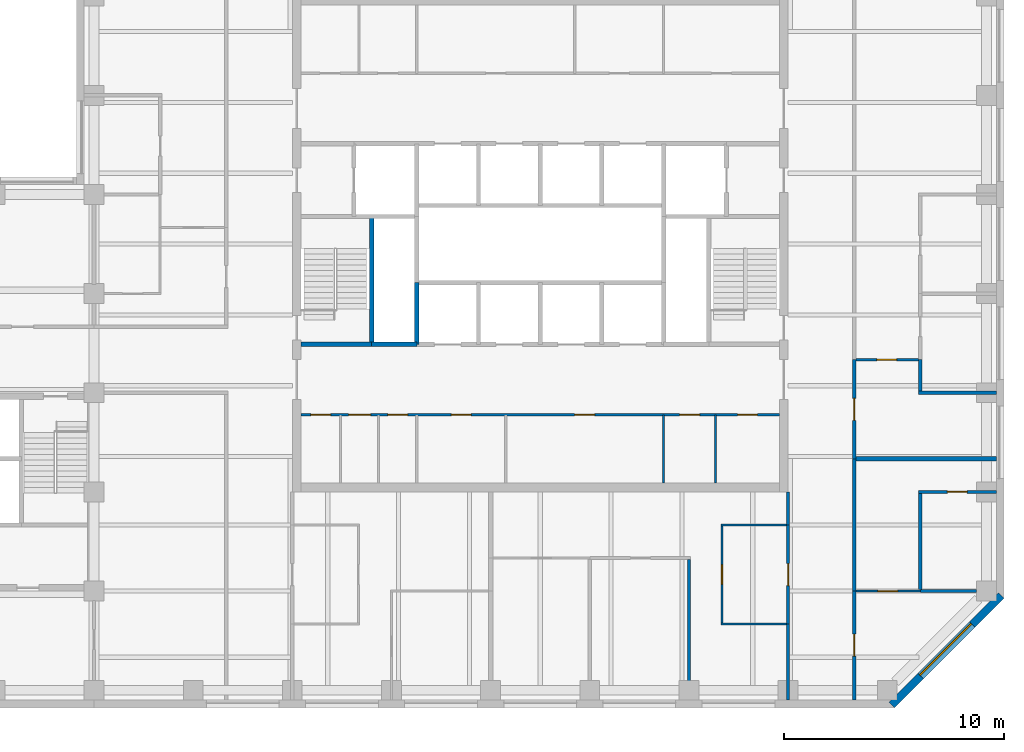
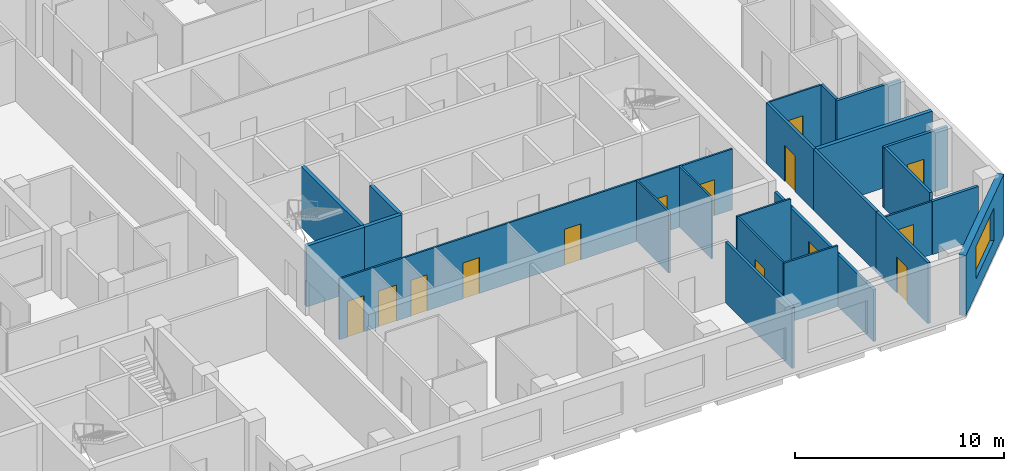
# One storey, part 5 of 10: 26 walls, 14 doors, 1 window, 15 openings.
"""IFC4 building model written with IfcOpenShell, lengths in metres."""

import ifcopenshell
import ifcopenshell.guid

model = None  # the IFC model being written
_history = None  # IfcOwnerHistory: only IFC2X3 demands one
_inside = {}  # id of a spatial element -> (the spatial element, [elements in it])
_under = {}  # id of a project, library or spatial element -> (it, [spatial elements below it])
_declared = {}  # id of a project -> (the project, [libraries it declares])
_typed = {}  # id of a type object -> (the type object, [elements of that type])
_made_of = {}  # id of a material, layer set ... -> (it, [elements and type objects made of it])


def new_model(schema):
    """Start an empty IFC model of exactly this schema.

    Asked for "IFC4X3", IfcOpenShell would pick the latest addendum, in which some entities
    have other attributes; the version numbers below select the first issue.
    IFC2X3 requires an IfcOwnerHistory on every rooted entity: one is made here for all.
    """
    global model, _history
    if schema == "IFC4X3":
        model = ifcopenshell.file(schema_version=(4, 3, 0, 0))
    else:
        model = ifcopenshell.file(schema=schema)
    _inside.clear()
    _under.clear()
    _declared.clear()
    _typed.clear()
    _made_of.clear()
    _history = None
    if model.schema == "IFC2X3":
        org = make("IfcOrganization", Name="unknown")
        user = make(
            "IfcPersonAndOrganization",
            ThePerson=make("IfcPerson", FamilyName="unknown"),
            TheOrganization=org,
        )
        app = make(
            "IfcApplication",
            ApplicationDeveloper=org,
            Version="unknown",
            ApplicationFullName="unknown",
            ApplicationIdentifier="unknown",
        )
        _history = make(
            "IfcOwnerHistory",
            OwningUser=user,
            OwningApplication=app,
            ChangeAction="ADDED",
            CreationDate=0,
        )
    return model


def make(cls, **values):
    """One entity of the class cls with the attributes given. An attribute that is None is left unset."""
    return model.create_entity(
        cls, **{name: value for name, value in values.items() if value is not None}
    )


def rooted(cls, **values):
    """An entity with a GlobalId (a new one), such as an element, a storey or a relation."""
    return make(cls, GlobalId=ifcopenshell.guid.new(), OwnerHistory=_history, **values)


def si_unit(unit_type, name, prefix=None):
    """IfcSIUnit, for example si_unit("LENGTHUNIT", "METRE", prefix="MILLI")."""
    return make("IfcSIUnit", UnitType=unit_type, Prefix=prefix, Name=name)


def assignment(units):
    """IfcUnitAssignment: the units of a project."""
    return None if units is None else make("IfcUnitAssignment", Units=units)


def point(xyz):
    """IfcCartesianPoint."""
    return None if xyz is None else make("IfcCartesianPoint", Coordinates=xyz)


def direction(xyz):
    """IfcDirection."""
    return None if xyz is None else make("IfcDirection", DirectionRatios=xyz)


def frame(location, z_axis=None, x_axis=None):
    """IfcAxis2Placement3D, a coordinate frame: its origin and axes. An axis left out is left unset."""
    return make(
        "IfcAxis2Placement3D",
        Location=point(location),
        Axis=direction(z_axis),
        RefDirection=direction(x_axis),
    )


def frame_2d(location, x_axis=None):
    """IfcAxis2Placement2D, a coordinate frame in the plane: its origin and x axis."""
    return make(
        "IfcAxis2Placement2D", Location=point(location), RefDirection=direction(x_axis)
    )


def origin():
    """The frame at (0, 0, 0) with its axes left unset."""
    return frame((0.0, 0.0, 0.0))


def place(relative_to, where):
    """IfcLocalPlacement: puts the frame where relative to a parent placement (None: the world)."""
    return make(
        "IfcLocalPlacement", PlacementRelTo=relative_to, RelativePlacement=where
    )


def context(
    kind, dimensions, precision=None, world=None, true_north=None, identifier=None
):
    """IfcGeometricRepresentationContext, for example the 3D "Model" context."""
    return make(
        "IfcGeometricRepresentationContext",
        ContextIdentifier=identifier,
        ContextType=kind,
        CoordinateSpaceDimension=dimensions,
        Precision=precision,
        WorldCoordinateSystem=world,
        TrueNorth=true_north,
    )


def subcontext(parent, identifier, kind, view, scale=None):
    """IfcGeometricRepresentationSubContext, for example "Body" below "Model"."""
    return make(
        "IfcGeometricRepresentationSubContext",
        ContextIdentifier=identifier,
        ContextType=kind,
        ParentContext=parent,
        TargetScale=scale,
        TargetView=view,
    )


def project(units=None, contexts=None):
    """IfcProject with its units and contexts."""
    return rooted(
        "IfcProject",
        Name="project",
        RepresentationContexts=contexts,
        UnitsInContext=assignment(units),
    )


def spatial(cls, under=None, at=None, **own):
    """A site, building, storey or space (cls), placed at a placement, below another one or the project."""
    s = rooted(cls, ObjectPlacement=at, **own)
    if under is not None:
        _under.setdefault(under.id(), (under, []))[1].append(s)
    return s


def profile(cls, at=None, kind="AREA", **sizes):
    """A parametric profile (cls). Its sizes go by their IFC names, for example OverallWidth=200.0."""
    return make(cls, ProfileType=kind, Position=at, **sizes)


def rectangle(**sizes):
    """IfcRectangleProfileDef."""
    return profile("IfcRectangleProfileDef", **sizes)


def extrude(swept, where, along, depth):
    """IfcExtrudedAreaSolid: the profile swept, set in the frame where, extruded along a direction by depth."""
    return make(
        "IfcExtrudedAreaSolid",
        SweptArea=swept,
        Position=where,
        ExtrudedDirection=direction(along),
        Depth=depth,
    )


def shape(context_of_items, identifier, shape_type, items):
    """IfcShapeRepresentation: the items that make up one representation, for example the "Body"."""
    return make(
        "IfcShapeRepresentation",
        ContextOfItems=context_of_items,
        RepresentationIdentifier=identifier,
        RepresentationType=shape_type,
        Items=items,
    )


def material(Name=None, Category=None):
    """IfcMaterial."""
    return make("IfcMaterial", Name=Name, Category=Category)


def layer(
    of_material, thickness, ventilated=None, Name=None, Category=None, Priority=None
):
    """IfcMaterialLayer: one layer of a wall or slab, of a material (None: an air gap)."""
    return make(
        "IfcMaterialLayer",
        Material=of_material,
        LayerThickness=thickness,
        IsVentilated=ventilated,
        Name=Name,
        Category=Category,
        Priority=Priority,
    )


def layer_set(layers, Name=None):
    """IfcMaterialLayerSet."""
    return make("IfcMaterialLayerSet", MaterialLayers=layers, LayerSetName=Name)


def constituent(of_material, Name=None, Category=None, fraction=None):
    """IfcMaterialConstituent: one of the materials an element consists of."""
    return make(
        "IfcMaterialConstituent",
        Name=Name,
        Material=of_material,
        Fraction=fraction,
        Category=Category,
    )


def constituent_set(constituents=None, Name=None):
    """IfcMaterialConstituentSet."""
    return make(
        "IfcMaterialConstituentSet", Name=Name, MaterialConstituents=constituents
    )


def made_of(thing, what):
    """Note that an element or type object is made of a material, layer set ...; save() writes the relation."""
    if what is not None:
        _made_of.setdefault(what.id(), (what, []))[1].append(thing)
    return thing


def type_object(cls, material=None, **own):
    """A type object (cls), such as IfcWallType, which elements share."""
    return made_of(rooted(cls, **own), material)


def element(
    cls,
    number,
    at=None,
    inside=None,
    cuts=None,
    type_object=None,
    material=None,
    context=None,
    identifier="Body",
    shape_type=None,
    held_by="IfcProductDefinitionShape",
    body=None,
    shapes=None,
    **own,
):
    """One element of the class cls, such as IfcWall. Its Tag is "e" and its number.

    at: its placement. inside: the storey or other place that contains it. cuts: it is an
    opening in that element (IfcRelVoidsElement). A single representation is given by context,
    identifier, shape_type and body (its items); several are given by shapes. held_by: the class
    of the entity that holds the representations. save() writes the other relations.
    """
    e = rooted(cls, Tag="e%d" % number, ObjectPlacement=at, **own)
    if body is not None:
        shapes = [shape(context, identifier, shape_type, body)]
    if shapes is not None:
        e.Representation = make(held_by, Representations=shapes)
    if inside is not None:
        _inside.setdefault(inside.id(), (inside, []))[1].append(e)
    if cuts is not None:
        rooted(
            "IfcRelVoidsElement", RelatingBuildingElement=cuts, RelatedOpeningElement=e
        )
    if type_object is not None:
        _typed.setdefault(type_object.id(), (type_object, []))[1].append(e)
    return made_of(e, material)


def fill(opening, filler):
    """IfcRelFillsElement: the door or window that sits in an opening."""
    return rooted(
        "IfcRelFillsElement",
        RelatingOpeningElement=opening,
        RelatedBuildingElement=filler,
    )


def aggregate(whole, parts):
    """IfcRelAggregates: a whole, such as a stair, and the parts it consists of."""
    return rooted("IfcRelAggregates", RelatingObject=whole, RelatedObjects=parts)


def save(model, path):
    """Write the relations noted so far, then the file.

    IfcRelAggregates (storeys below a building ...), IfcRelContainedInSpatialStructure (elements
    in a storey), IfcRelDefinesByType, IfcRelAssociatesMaterial and IfcRelDeclares: one each for
    every whole, place, type object, material and project.
    """
    for whole, parts in _under.values():
        aggregate(whole, parts)
    for where, things in _inside.values():
        rooted(
            "IfcRelContainedInSpatialStructure",
            RelatedElements=things,
            RelatingStructure=where,
        )
    for kind, things in _typed.values():
        rooted("IfcRelDefinesByType", RelatedObjects=things, RelatingType=kind)
    for what, things in _made_of.values():
        rooted("IfcRelAssociatesMaterial", RelatedObjects=things, RelatingMaterial=what)
    for by, libraries in _declared.values():
        rooted("IfcRelDeclares", RelatingContext=by, RelatedDefinitions=libraries)
    model.write(path)


model = new_model("IFC4")

# Units and contexts
model_context = context("Model", 3, precision=1e-05, world=origin(), true_north=direction((0.0, 1.0)))
body_context = subcontext(model_context, "Body", "Model", "MODEL_VIEW")
ifc_project = project(units=[si_unit("LENGTHUNIT", "METRE"), si_unit("AREAUNIT", "SQUARE_METRE"), si_unit("VOLUMEUNIT", "CUBIC_METRE"), si_unit("PLANEANGLEUNIT", "RADIAN"), si_unit("MASSUNIT", "GRAM", prefix="KILO")], contexts=[model_context])

# Site, building, storey
site_placement = place(None, origin())
site = spatial("IfcSite", under=ifc_project, at=site_placement, CompositionType="ELEMENT")
building_placement = place(site_placement, origin())
building = spatial("IfcBuilding", under=site, at=building_placement, Name="Quoin Convention Tower", CompositionType="ELEMENT")
storey_placement = place(building_placement, frame((0.0, 0.0, 192.10009765625)))
storey = spatial("IfcBuildingStorey", under=building, at=storey_placement, Name="L50", CompositionType="ELEMENT", Elevation=192.10009765625)

# Wall, opening, door
ifc_material_1 = material(Name="Plasterboard")
ifc_layer_1 = layer(ifc_material_1, 0.012451171875, Name="Finish")
ifc_material_2 = material(Name="Steel stud framing", Category="steel")
ifc_layer_2 = layer(ifc_material_2, 0.125, Name="Structure")
ifc_layer_3 = layer(ifc_material_1, 0.012451171875, Name="Finish")
ifc_layer_set_1 = layer_set([ifc_layer_1, ifc_layer_2, ifc_layer_3], Name="Steel stud framing")
wall_type_1 = type_object("IfcWallType", Name="Acoustic partition 150", PredefinedType="PARTITIONING", material=ifc_layer_set_1)
wall_1_placement = place(storey_placement, frame((73.425048828125, 49.5, 0.0), z_axis=(0.0, 0.0, 1.0), x_axis=(1.0, 0.0, 0.0)))
wall_1 = element("IfcWall", 1, at=wall_1_placement, inside=storey, type_object=wall_type_1, Name="pw-L50-014", PredefinedType="PARTITIONING", context=body_context, shape_type="SweptSolid", body=[
    extrude(rectangle(XDim=3.52490234375, YDim=0.14990234375, at=frame_2d((1.762451171875, 0.0))), origin(), (0.0, 0.0, 1.0), 3.5498046875),
])
opening_1_placement = place(wall_1_placement, frame((1.300048828125, 0.0, 0.0)))
opening_1 = element("IfcOpeningElement", 2, at=opening_1_placement, cuts=wall_1, Name="Opening DOH7-04", PredefinedType="OPENING", context=body_context, shape_type="SweptSolid", body=[
    extrude(rectangle(XDim=0.89990234375, YDim=2.10009765625, at=frame_2d((0.449951171875, 1.050048828125))), frame((0.0, 0.0849609375, 0.0), z_axis=(0.0, -1.0, 0.0), x_axis=(1.0, 0.0, 0.0)), (0.0, 0.0, 1.0), 0.169921875),
])
ifc_material_3 = material(Name="Steel door leaf", Category="steel")
door_type_1 = type_object("IfcDoorType", Name="Office door 900 x 2100", OperationType="SINGLE_SWING_RIGHT", PredefinedType="DOOR", material=ifc_material_3)
door_1_placement = place(opening_1_placement, origin())
door_1 = element("IfcDoor", 3, at=door_1_placement, inside=storey, type_object=door_type_1, Name="dr-L50-28", OperationType="SINGLE_SWING_RIGHT", OverallHeight=2.10009765625, OverallWidth=0.89990234375, PredefinedType="DOOR", context=body_context, shape_type="SweptSolid", body=[
    extrude(rectangle(XDim=0.89990234375, YDim=2.10009765625, at=frame_2d((0.449951171875, 1.050048828125))), frame((0.0, 0.02490234375, 0.0), z_axis=(0.0, -1.0, 0.0), x_axis=(1.0, 0.0, 0.0)), (0.0, 0.0, 1.0), 0.050048828125),
])
fill(opening_1, door_1)

# Walls
wall_2_placement = place(storey_placement, frame((73.425048828125, 54.0, 0.0), z_axis=(0.0, 0.0, 1.0), x_axis=(1.0, 0.0, 0.0)))
element("IfcWall", 4, at=wall_2_placement, inside=storey, type_object=wall_type_1, Name="pw-L50-018", PredefinedType="PARTITIONING", context=body_context, shape_type="SweptSolid", body=[
    extrude(rectangle(XDim=3.52490234375, YDim=0.14990234375, at=frame_2d((1.762451171875, 0.0))), origin(), (0.0, 0.0, 1.0), 3.5498046875),
])
wall_3_placement = place(storey_placement, frame((63.0, 40.050048828125, 0.0), z_axis=(0.0, 0.0, 1.0), x_axis=(0.0, 1.0, 0.0)))
element("IfcWall", 5, at=wall_3_placement, inside=storey, type_object=wall_type_1, Name="pw-L50-044", PredefinedType="PARTITIONING", context=body_context, shape_type="SweptSolid", body=[
    extrude(rectangle(XDim=6.375, YDim=0.14990234375, at=frame_2d((3.1875, 0.0))), origin(), (0.0, 0.0, 1.0), 3.5498046875),
])
wall_4_placement = place(storey_placement, frame((73.5, 45.074951171875, 0.0), z_axis=(0.0, 0.0, 1.0), x_axis=(0.0, 1.0, 0.0)))
element("IfcWall", 6, at=wall_4_placement, inside=storey, type_object=wall_type_1, Name="pw-L50-056", PredefinedType="PARTITIONING", context=body_context, shape_type="SweptSolid", body=[
    extrude(rectangle(XDim=4.35009765625, YDim=0.14990234375, at=frame_2d((2.175048828125, 0.0))), origin(), (0.0, 0.0, 1.0), 3.5498046875),
])
wall_5_placement = place(storey_placement, frame((73.5, 54.074951171875, 0.0), z_axis=(0.0, 0.0, 1.0), x_axis=(0.0, 1.0, 0.0)))
element("IfcWall", 7, at=wall_5_placement, inside=storey, type_object=wall_type_1, Name="pw-L50-064", PredefinedType="PARTITIONING", context=body_context, shape_type="SweptSolid", body=[
    extrude(rectangle(XDim=1.425048828125, YDim=0.14990234375, at=frame_2d((0.71240234375, 0.0))), origin(), (0.0, 0.0, 1.0), 3.5498046875),
])
ifc_layer_4 = layer(ifc_material_1, 0.012451171875, Name="Finish")
ifc_layer_5 = layer(ifc_material_2, 0.125, Name="Structure")
ifc_layer_6 = layer(ifc_material_1, 0.012451171875, Name="Finish")
ifc_layer_set_2 = layer_set([ifc_layer_4, ifc_layer_5, ifc_layer_6], Name="Steel stud framing")
wall_type_2 = type_object("IfcWallType", Name="Acoustic partition 150 under beam 454", PredefinedType="PARTITIONING", material=ifc_layer_set_2)
wall_6_placement = place(storey_placement, frame((73.5, 45.0, 0.0), z_axis=(0.0, 0.0, 1.0), x_axis=(1.0, 0.0, 0.0)))
element("IfcWall", 8, at=wall_6_placement, inside=storey, type_object=wall_type_2, Name="pw-L50-007", PredefinedType="PARTITIONING", context=body_context, shape_type="SweptSolid", body=[
    extrude(rectangle(XDim=2.550048828125, YDim=0.14990234375, at=frame_2d((1.27490234375, 0.0))), origin(), (0.0, 0.0, 1.0), 3.095947265625),
])

# Wall, opening, window
ifc_material_4 = material(Name="Brick masonry", Category="masonry")
ifc_layer_7 = layer(ifc_material_4, 0.35009765625)
ifc_layer_set_3 = layer_set([ifc_layer_7], Name="Brick masonry")
wall_type_3 = type_object("IfcWallType", Name="Brick facade wall", PredefinedType="STANDARD", material=ifc_layer_set_3)
wall_7_placement = place(storey_placement, frame((72.20751953125, 39.82373046875, 0.0), z_axis=(0.0, 0.0, 1.0), x_axis=(0.707106781187, 0.707106781187, 0.0)))
wall_7 = element("IfcWall", 9, at=wall_7_placement, inside=storey, type_object=wall_type_3, Name="fw-L50-72000_40500", PredefinedType="STANDARD", context=body_context, shape_type="SweptSolid", body=[
    extrude(rectangle(XDim=7.02685546875, YDim=0.35009765625, at=frame_2d((3.513427734375, 0.0))), origin(), (0.0, 0.0, 1.0), 3.52490234375),
])
opening_2_placement = place(wall_7_placement, frame((1.86328125, 0.0, 0.89990234375)))
opening_2 = element("IfcOpeningElement", 10, at=opening_2_placement, cuts=wall_7, Name="Opening W-02", PredefinedType="OPENING", context=body_context, shape_type="SweptSolid", body=[
    extrude(rectangle(XDim=3.300048828125, YDim=1.89990234375, at=frame_2d((1.64990234375, 0.949951171875))), frame((0.0, 0.18505859375, 0.0), z_axis=(0.0, -1.0, 0.0), x_axis=(1.0, 0.0, 0.0)), (0.0, 0.0, 1.0), 0.3701171875),
])
ifc_material_5 = material(Name="Aluminium", Category="aluminium")
ifc_constituent_1 = constituent(ifc_material_5, Name="Frame")
ifc_material_6 = material(Name="Insulated glass", Category="glass")
ifc_constituent_2 = constituent(ifc_material_6, Name="Glazing")
ifc_constituent_set = constituent_set(constituents=[ifc_constituent_1, ifc_constituent_2], Name="Aluminium")
window_type = type_object("IfcWindowType", Name="Office window", PartitioningType="DOUBLE_PANEL_VERTICAL", PredefinedType="WINDOW", material=ifc_constituent_set)
window_placement = place(opening_2_placement, origin())
window = element("IfcWindow", 11, at=window_placement, inside=storey, type_object=window_type, Name="win-L50-74692_42308", OverallHeight=1.89990234375, OverallWidth=3.300048828125, PartitioningType="SINGLE_PANEL", PredefinedType="WINDOW", context=body_context, shape_type="SweptSolid", body=[
    extrude(rectangle(XDim=3.300048828125, YDim=1.89990234375, at=frame_2d((1.64990234375, 0.949951171875))), frame((0.0, 0.0849609375, 0.0), z_axis=(0.0, -1.0, 0.0), x_axis=(1.0, 0.0, 0.0)), (0.0, 0.0, 1.0), 0.06005859375),
])
fill(opening_2, window)

# Wall, openings, doors
ifc_layer_8 = layer(ifc_material_1, 0.012451171875, Name="Finish")
ifc_layer_9 = layer(ifc_material_2, 0.074951171875, Name="Structure")
ifc_layer_10 = layer(ifc_material_1, 0.012451171875, Name="Finish")
ifc_layer_set_4 = layer_set([ifc_layer_8, ifc_layer_9, ifc_layer_10], Name="Steel stud framing")
wall_type_4 = type_object("IfcWallType", Name="Core partition wall", PredefinedType="PARTITIONING", material=ifc_layer_set_4)
wall_8_placement = place(storey_placement, frame((45.39990234375, 53.0, 0.0), z_axis=(0.0, 0.0, 1.0), x_axis=(1.0, 0.0, 0.0)))
wall_8 = element("IfcWall", 12, at=wall_8_placement, inside=storey, type_object=wall_type_4, Name="cr-C1-L50-h3500_400", PredefinedType="PARTITIONING", context=body_context, shape_type="SweptSolid", body=[
    extrude(rectangle(XDim=21.7001953125, YDim=0.10009765625, at=frame_2d((10.85009765625, 0.0))), origin(), (0.0, 0.0, 1.0), 3.5498046875),
])
opening_3_placement = place(wall_8_placement, frame((19.806396484375, 0.0, 0.0)))
opening_3 = element("IfcOpeningElement", 13, at=opening_3_placement, cuts=wall_8, Name="Opening DCV5-40", PredefinedType="OPENING", context=body_context, shape_type="SweptSolid", body=[
    extrude(rectangle(XDim=0.89990234375, YDim=2.10009765625, at=frame_2d((0.449951171875, 1.050048828125))), frame((0.0, 0.06005859375, 0.0), z_axis=(0.0, -1.0, 0.0), x_axis=(1.0, 0.0, 0.0)), (0.0, 0.0, 1.0), 0.1201171875),
])
opening_4_placement = place(wall_8_placement, frame((17.181396484375, 0.0, 0.0)))
opening_4 = element("IfcOpeningElement", 14, at=opening_4_placement, cuts=wall_8, Name="Opening DCV5-39", PredefinedType="OPENING", context=body_context, shape_type="SweptSolid", body=[
    extrude(rectangle(XDim=0.89990234375, YDim=2.10009765625, at=frame_2d((0.449951171875, 1.050048828125))), frame((0.0, 0.06005859375, 0.0), z_axis=(0.0, -1.0, 0.0), x_axis=(1.0, 0.0, 0.0)), (0.0, 0.0, 1.0), 0.1201171875),
])
opening_5_placement = place(wall_8_placement, frame((0.4423828125, 0.0, 0.0)))
opening_5 = element("IfcOpeningElement", 15, at=opening_5_placement, cuts=wall_8, Name="Opening DCV5-31", PredefinedType="OPENING", context=body_context, shape_type="SweptSolid", body=[
    extrude(rectangle(XDim=0.89990234375, YDim=2.10009765625, at=frame_2d((0.449951171875, 1.050048828125))), frame((0.0, 0.06005859375, 0.0), z_axis=(0.0, -1.0, 0.0), x_axis=(1.0, 0.0, 0.0)), (0.0, 0.0, 1.0), 0.1201171875),
])
opening_6_placement = place(wall_8_placement, frame((2.1513671875, 0.0, 0.0)))
opening_6 = element("IfcOpeningElement", 16, at=opening_6_placement, cuts=wall_8, Name="Opening DCV5-32", PredefinedType="OPENING", context=body_context, shape_type="SweptSolid", body=[
    extrude(rectangle(XDim=1.0, YDim=2.10009765625, at=frame_2d((0.5, 1.050048828125))), frame((0.0, 0.06005859375, 0.0), z_axis=(0.0, -1.0, 0.0), x_axis=(1.0, 0.0, 0.0)), (0.0, 0.0, 1.0), 0.1201171875),
])
opening_7_placement = place(wall_8_placement, frame((3.93359375, 0.0, 0.0)))
opening_7 = element("IfcOpeningElement", 17, at=opening_7_placement, cuts=wall_8, Name="Opening DCV5-33", PredefinedType="OPENING", context=body_context, shape_type="SweptSolid", body=[
    extrude(rectangle(XDim=0.89990234375, YDim=2.10009765625, at=frame_2d((0.449951171875, 1.050048828125))), frame((0.0, 0.06005859375, 0.0), z_axis=(0.0, -1.0, 0.0), x_axis=(1.0, 0.0, 0.0)), (0.0, 0.0, 1.0), 0.1201171875),
])
opening_8_placement = place(wall_8_placement, frame((6.81591796875, 0.0, 0.0)))
opening_8 = element("IfcOpeningElement", 18, at=opening_8_placement, cuts=wall_8, Name="Opening DCV5-35", PredefinedType="OPENING", context=body_context, shape_type="SweptSolid", body=[
    extrude(rectangle(XDim=0.89990234375, YDim=2.10009765625, at=frame_2d((0.449951171875, 1.050048828125))), frame((0.0, 0.06005859375, 0.0), z_axis=(0.0, -1.0, 0.0), x_axis=(1.0, 0.0, 0.0)), (0.0, 0.0, 1.0), 0.1201171875),
])
opening_9_placement = place(wall_8_placement, frame((12.416015625, 0.0, 0.0)))
opening_9 = element("IfcOpeningElement", 19, at=opening_9_placement, cuts=wall_8, Name="Opening DCV5-37", PredefinedType="OPENING", context=body_context, shape_type="SweptSolid", body=[
    extrude(rectangle(XDim=0.89990234375, YDim=2.10009765625, at=frame_2d((0.449951171875, 1.050048828125))), frame((0.0, 0.06005859375, 0.0), z_axis=(0.0, -1.0, 0.0), x_axis=(1.0, 0.0, 0.0)), (0.0, 0.0, 1.0), 0.1201171875),
])
door_type_2 = type_object("IfcDoorType", Name="Core room door 1000 x 2100", OperationType="SINGLE_SWING_LEFT", PredefinedType="DOOR", material=ifc_material_3)
door_2_placement = place(opening_6_placement, frame((1.0, 0.0, 0.0), z_axis=(0.0, 0.0, 1.0), x_axis=(-1.0, 0.0, 0.0)))
door_2 = element("IfcDoor", 20, at=door_2_placement, inside=storey, type_object=door_type_2, Name="cd-C1-L50-CSW1-lobA-CD5013", OperationType="SINGLE_SWING_LEFT", OverallHeight=2.10009765625, OverallWidth=1.0, PredefinedType="DOOR", context=body_context, shape_type="SweptSolid", body=[
    extrude(rectangle(XDim=1.0, YDim=2.10009765625, at=frame_2d((0.5, 1.050048828125))), frame((0.0, 0.02490234375, 0.0), z_axis=(0.0, -1.0, 0.0), x_axis=(1.0, 0.0, 0.0)), (0.0, 0.0, 1.0), 0.050048828125),
])
fill(opening_6, door_2)
door_type_3 = type_object("IfcDoorType", Name="Core room door 900 x 2100", OperationType="SINGLE_SWING_LEFT", PredefinedType="DOOR", material=ifc_material_3)
door_3_placement = place(opening_3_placement, frame((0.89990234375, 0.0, 0.0), z_axis=(0.0, 0.0, 1.0), x_axis=(-1.0, 0.0, 0.0)))
door_3 = element("IfcDoor", 21, at=door_3_placement, inside=storey, type_object=door_type_3, Name="cd-C1-L50-CSE0-lobA-CD5010", OperationType="SINGLE_SWING_LEFT", OverallHeight=2.10009765625, OverallWidth=0.89990234375, PredefinedType="DOOR", context=body_context, shape_type="SweptSolid", body=[
    extrude(rectangle(XDim=0.89990234375, YDim=2.10009765625, at=frame_2d((0.449951171875, 1.050048828125))), frame((0.0, 0.02490234375, 0.0), z_axis=(0.0, -1.0, 0.0), x_axis=(1.0, 0.0, 0.0)), (0.0, 0.0, 1.0), 0.050048828125),
])
fill(opening_3, door_3)
door_4_placement = place(opening_4_placement, frame((0.89990234375, 0.0, 0.0), z_axis=(0.0, 0.0, 1.0), x_axis=(-1.0, 0.0, 0.0)))
door_4 = element("IfcDoor", 22, at=door_4_placement, inside=storey, type_object=door_type_3, Name="cd-C1-L50-CSE1-lobA-CD5011", OperationType="SINGLE_SWING_LEFT", OverallHeight=2.10009765625, OverallWidth=0.89990234375, PredefinedType="DOOR", context=body_context, shape_type="SweptSolid", body=[
    extrude(rectangle(XDim=0.89990234375, YDim=2.10009765625, at=frame_2d((0.449951171875, 1.050048828125))), frame((0.0, 0.02490234375, 0.0), z_axis=(0.0, -1.0, 0.0), x_axis=(1.0, 0.0, 0.0)), (0.0, 0.0, 1.0), 0.050048828125),
])
fill(opening_4, door_4)
door_5_placement = place(opening_5_placement, frame((0.89990234375, 0.0, 0.0), z_axis=(0.0, 0.0, 1.0), x_axis=(-1.0, 0.0, 0.0)))
door_5 = element("IfcDoor", 23, at=door_5_placement, inside=storey, type_object=door_type_3, Name="cd-C1-L50-CSW0-lobA-CD5012", OperationType="SINGLE_SWING_LEFT", OverallHeight=2.10009765625, OverallWidth=0.89990234375, PredefinedType="DOOR", context=body_context, shape_type="SweptSolid", body=[
    extrude(rectangle(XDim=0.89990234375, YDim=2.10009765625, at=frame_2d((0.449951171875, 1.050048828125))), frame((0.0, 0.02490234375, 0.0), z_axis=(0.0, -1.0, 0.0), x_axis=(1.0, 0.0, 0.0)), (0.0, 0.0, 1.0), 0.050048828125),
])
fill(opening_5, door_5)
door_6_placement = place(opening_7_placement, frame((0.89990234375, 0.0, 0.0), z_axis=(0.0, 0.0, 1.0), x_axis=(-1.0, 0.0, 0.0)))
door_6 = element("IfcDoor", 24, at=door_6_placement, inside=storey, type_object=door_type_3, Name="cd-C1-L50-CSW2-lobA-CD5014", OperationType="SINGLE_SWING_LEFT", OverallHeight=2.10009765625, OverallWidth=0.89990234375, PredefinedType="DOOR", context=body_context, shape_type="SweptSolid", body=[
    extrude(rectangle(XDim=0.89990234375, YDim=2.10009765625, at=frame_2d((0.449951171875, 1.050048828125))), frame((0.0, 0.02490234375, 0.0), z_axis=(0.0, -1.0, 0.0), x_axis=(1.0, 0.0, 0.0)), (0.0, 0.0, 1.0), 0.050048828125),
])
fill(opening_7, door_6)
door_7_placement = place(opening_8_placement, frame((0.89990234375, 0.0, 0.0), z_axis=(0.0, 0.0, 1.0), x_axis=(-1.0, 0.0, 0.0)))
door_7 = element("IfcDoor", 25, at=door_7_placement, inside=storey, type_object=door_type_3, Name="cd-C1-L50-F10-lobA-CD5015", OperationType="SINGLE_SWING_LEFT", OverallHeight=2.10009765625, OverallWidth=0.89990234375, PredefinedType="DOOR", context=body_context, shape_type="SweptSolid", body=[
    extrude(rectangle(XDim=0.89990234375, YDim=2.10009765625, at=frame_2d((0.449951171875, 1.050048828125))), frame((0.0, 0.02490234375, 0.0), z_axis=(0.0, -1.0, 0.0), x_axis=(1.0, 0.0, 0.0)), (0.0, 0.0, 1.0), 0.050048828125),
])
fill(opening_8, door_7)
door_8_placement = place(opening_9_placement, frame((0.89990234375, 0.0, 0.0), z_axis=(0.0, 0.0, 1.0), x_axis=(-1.0, 0.0, 0.0)))
door_8 = element("IfcDoor", 26, at=door_8_placement, inside=storey, type_object=door_type_3, Name="cd-C1-L50-F11-lobA-CD5016", OperationType="SINGLE_SWING_LEFT", OverallHeight=2.10009765625, OverallWidth=0.89990234375, PredefinedType="DOOR", context=body_context, shape_type="SweptSolid", body=[
    extrude(rectangle(XDim=0.89990234375, YDim=2.10009765625, at=frame_2d((0.449951171875, 1.050048828125))), frame((0.0, 0.02490234375, 0.0), z_axis=(0.0, -1.0, 0.0), x_axis=(1.0, 0.0, 0.0)), (0.0, 0.0, 1.0), 0.050048828125),
])
fill(opening_9, door_8)

# Walls
for number, where, z_axis, x_axis, name in (
    (27, (61.85009765625, 49.89990234375, 0.0), (0.0, 0.0, 1.0), (0.0, 1.0, 0.0), "cr-C1-L50-v16850_400"),
    (28, (64.21240234375, 49.89990234375, 0.0), (0.0, 0.0, 1.0), (0.0, 1.0, 0.0), "cr-C1-L50-v19212_400"),
):
    element("IfcWall", number, at=place(storey_placement, frame(where, z_axis=z_axis, x_axis=x_axis)), inside=storey, type_object=wall_type_4, Name=name, PredefinedType="PARTITIONING", context=body_context, shape_type="SweptSolid", body=[
        extrude(rectangle(XDim=3.10009765625, YDim=0.10009765625, at=frame_2d((1.550048828125, 0.0))), origin(), (0.0, 0.0, 1.0), 3.5498046875),
    ])
ifc_material_7 = material(Name="Concrete C50", Category="concrete")
ifc_layer_11 = layer(ifc_material_7, 0.199951171875)
ifc_layer_set_5 = layer_set([ifc_layer_11], Name="Concrete C50")
wall_type_5 = type_object("IfcWallType", Name="Core shaft wall", PredefinedType="SOLIDWALL", material=ifc_layer_set_5)
wall_9_placement = place(storey_placement, frame((48.60009765625, 56.199951171875, 0.0), z_axis=(0.0, 0.0, 1.0), x_axis=(1.0, 0.0, 0.0)))
element("IfcWall", 29, at=wall_9_placement, inside=storey, type_object=wall_type_5, Name="cr-C1-L50-h6700_3600", PredefinedType="SOLIDWALL", context=body_context, shape_type="SweptSolid", body=[
    extrude(rectangle(XDim=2.0498046875, YDim=0.199951171875, at=frame_2d((1.02490234375, 0.0))), origin(), (0.0, 0.0, 1.0), 3.5498046875),
])
wall_10_placement = place(storey_placement, frame((45.39990234375, 56.199951171875, 0.0), z_axis=(0.0, 0.0, 1.0), x_axis=(1.0, 0.0, 0.0)))
element("IfcWall", 30, at=wall_10_placement, inside=storey, type_object=wall_type_5, Name="cr-C1-L50-h6700_400", PredefinedType="SOLIDWALL", context=body_context, shape_type="SweptSolid", body=[
    extrude(rectangle(XDim=3.2001953125, YDim=0.199951171875, at=frame_2d((1.60009765625, 0.0))), origin(), (0.0, 0.0, 1.0), 3.5498046875),
])
wall_11_placement = place(storey_placement, frame((48.60009765625, 56.199951171875, 0.0), z_axis=(0.0, 0.0, 1.0), x_axis=(0.0, 1.0, 0.0)))
element("IfcWall", 31, at=wall_11_placement, inside=storey, type_object=wall_type_5, Name="cr-C1-L50-v3600_6700", PredefinedType="SOLIDWALL", context=body_context, shape_type="SweptSolid", body=[
    extrude(rectangle(XDim=5.800048828125, YDim=0.199951171875, at=frame_2d((2.89990234375, 0.0))), origin(), (0.0, 0.0, 1.0), 3.5498046875),
])
wall_12_placement = place(storey_placement, frame((50.64990234375, 56.199951171875, 0.0), z_axis=(0.0, 0.0, 1.0), x_axis=(0.0, 1.0, 0.0)))
element("IfcWall", 32, at=wall_12_placement, inside=storey, type_object=wall_type_5, Name="cr-C1-L50-v5650_6700", PredefinedType="SOLIDWALL", context=body_context, shape_type="SweptSolid", body=[
    extrude(rectangle(XDim=2.800048828125, YDim=0.199951171875, at=frame_2d((1.39990234375, 0.0))), origin(), (0.0, 0.0, 1.0), 3.5498046875),
])

# Wall, opening, door
ifc_layer_12 = layer(ifc_material_1, 0.012451171875, Name="Finish")
ifc_layer_13 = layer(ifc_material_2, 0.125, Name="Structure")
ifc_layer_14 = layer(ifc_material_1, 0.012451171875, Name="Finish")
ifc_layer_set_6 = layer_set([ifc_layer_12, ifc_layer_13, ifc_layer_14], Name="Steel stud framing")
wall_type_6 = type_object("IfcWallType", Name="Corridor wall 150", PredefinedType="PARTITIONING", material=ifc_layer_set_6)
wall_13_placement = place(storey_placement, frame((70.5, 40.050048828125, 0.0), z_axis=(0.0, 0.0, 1.0), x_axis=(0.0, 1.0, 0.0)))
wall_13 = element("IfcWall", 33, at=wall_13_placement, inside=storey, type_object=wall_type_6, Name="pw-L50-046", PredefinedType="PARTITIONING", context=body_context, shape_type="SweptSolid", body=[
    extrude(rectangle(XDim=4.949951171875, YDim=0.14990234375, at=frame_2d((2.47509765625, 0.0))), origin(), (0.0, 0.0, 1.0), 3.5498046875),
])
opening_10_placement = place(wall_13_placement, frame((2.0, 0.0, 0.0)))
opening_10 = element("IfcOpeningElement", 34, at=opening_10_placement, cuts=wall_13, Name="Opening DOH7-13", PredefinedType="OPENING", context=body_context, shape_type="SweptSolid", body=[
    extrude(rectangle(XDim=1.0, YDim=2.10009765625, at=frame_2d((0.5, 1.050048828125))), frame((0.0, 0.0849609375, 0.0), z_axis=(0.0, -1.0, 0.0), x_axis=(1.0, 0.0, 0.0)), (0.0, 0.0, 1.0), 0.169921875),
])
door_type_4 = type_object("IfcDoorType", Name="Tenancy entrance door 1000 x 2100", OperationType="DOUBLE_DOOR_SINGLE_SWING", PredefinedType="DOOR", material=ifc_material_3)
door_9_placement = place(opening_10_placement, frame((1.0, 0.0, 0.0), z_axis=(0.0, 0.0, 1.0), x_axis=(-1.0, 0.0, 0.0)))
door_9 = element("IfcDoor", 35, at=door_9_placement, inside=storey, type_object=door_type_4, Name="dr-L50-26", OperationType="DOUBLE_DOOR_SINGLE_SWING", OverallHeight=2.10009765625, OverallWidth=1.0, PredefinedType="DOOR", context=body_context, shape_type="SweptSolid", body=[
    extrude(rectangle(XDim=1.0, YDim=2.10009765625, at=frame_2d((0.5, 1.050048828125))), frame((0.0, 0.02490234375, 0.0), z_axis=(0.0, -1.0, 0.0), x_axis=(1.0, 0.0, 0.0)), (0.0, 0.0, 1.0), 0.050048828125),
])
fill(opening_10, door_9)

# Wall
wall_14_placement = place(storey_placement, frame((70.5, 45.0, 0.0), z_axis=(0.0, 0.0, 1.0), x_axis=(0.0, 1.0, 0.0)))
element("IfcWall", 36, at=wall_14_placement, inside=storey, type_object=wall_type_6, Name="pw-L50-054", PredefinedType="PARTITIONING", context=body_context, shape_type="SweptSolid", body=[
    extrude(rectangle(XDim=6.0, YDim=0.14990234375, at=frame_2d((3.0, 0.0))), origin(), (0.0, 0.0, 1.0), 3.5498046875),
])

# Wall, opening, door
wall_15_placement = place(storey_placement, frame((70.5, 51.0, 0.0), z_axis=(0.0, 0.0, 1.0), x_axis=(0.0, 1.0, 0.0)))
wall_15 = element("IfcWall", 37, at=wall_15_placement, inside=storey, type_object=wall_type_6, Name="pw-L50-063", PredefinedType="PARTITIONING", context=body_context, shape_type="SweptSolid", body=[
    extrude(rectangle(XDim=4.5, YDim=0.14990234375, at=frame_2d((2.25, 0.0))), origin(), (0.0, 0.0, 1.0), 3.5498046875),
])
opening_11_placement = place(wall_15_placement, frame((1.75, 0.0, 0.0)))
opening_11 = element("IfcOpeningElement", 38, at=opening_11_placement, cuts=wall_15, Name="Opening DOH7-19", PredefinedType="OPENING", context=body_context, shape_type="SweptSolid", body=[
    extrude(rectangle(XDim=1.0, YDim=2.10009765625, at=frame_2d((0.5, 1.050048828125))), frame((0.0, 0.0849609375, 0.0), z_axis=(0.0, -1.0, 0.0), x_axis=(1.0, 0.0, 0.0)), (0.0, 0.0, 1.0), 0.169921875),
])
door_10_placement = place(opening_11_placement, frame((1.0, 0.0, 0.0), z_axis=(0.0, 0.0, 1.0), x_axis=(-1.0, 0.0, 0.0)))
door_10 = element("IfcDoor", 39, at=door_10_placement, inside=storey, type_object=door_type_4, Name="dr-L50-29", OperationType="DOUBLE_DOOR_SINGLE_SWING", OverallHeight=2.10009765625, OverallWidth=1.0, PredefinedType="DOOR", context=body_context, shape_type="SweptSolid", body=[
    extrude(rectangle(XDim=1.0, YDim=2.10009765625, at=frame_2d((0.5, 1.050048828125))), frame((0.0, 0.02490234375, 0.0), z_axis=(0.0, -1.0, 0.0), x_axis=(1.0, 0.0, 0.0)), (0.0, 0.0, 1.0), 0.050048828125),
])
fill(opening_11, door_10)

# Wall
ifc_layer_15 = layer(ifc_material_1, 0.012451171875, Name="Finish")
ifc_layer_16 = layer(ifc_material_2, 0.125, Name="Structure")
ifc_layer_17 = layer(ifc_material_1, 0.012451171875, Name="Finish")
ifc_layer_set_7 = layer_set([ifc_layer_15, ifc_layer_16, ifc_layer_17], Name="Steel stud framing")
wall_type_7 = type_object("IfcWallType", Name="Corridor wall 150 under beam 528", PredefinedType="PARTITIONING", material=ifc_layer_set_7)
wall_16_placement = place(storey_placement, frame((67.5, 40.050048828125, 0.0), z_axis=(0.0, 0.0, 1.0), x_axis=(0.0, 1.0, 0.0)))
element("IfcWall", 40, at=wall_16_placement, inside=storey, type_object=wall_type_7, Name="pw-L50-045", PredefinedType="PARTITIONING", context=body_context, shape_type="SweptSolid", body=[
    extrude(rectangle(XDim=3.449951171875, YDim=0.14990234375, at=frame_2d((1.72509765625, 0.0))), origin(), (0.0, 0.0, 1.0), 3.02197265625),
])

# Wall, opening, door
wall_17_placement = place(storey_placement, frame((67.5, 43.5, 0.0), z_axis=(0.0, 0.0, 1.0), x_axis=(0.0, 1.0, 0.0)))
wall_17 = element("IfcWall", 41, at=wall_17_placement, inside=storey, type_object=wall_type_7, Name="pw-L50-049", PredefinedType="PARTITIONING", context=body_context, shape_type="SweptSolid", body=[
    extrude(rectangle(XDim=4.5, YDim=0.14990234375, at=frame_2d((2.25, 0.0))), origin(), (0.0, 0.0, 1.0), 3.02197265625),
])
opening_12_placement = place(wall_17_placement, frame((1.75, 0.0, 0.0)))
opening_12 = element("IfcOpeningElement", 42, at=opening_12_placement, cuts=wall_17, Name="Opening DOH7-16", PredefinedType="OPENING", context=body_context, shape_type="SweptSolid", body=[
    extrude(rectangle(XDim=1.0, YDim=2.10009765625, at=frame_2d((0.5, 1.050048828125))), frame((0.0, 0.0849609375, 0.0), z_axis=(0.0, -1.0, 0.0), x_axis=(1.0, 0.0, 0.0)), (0.0, 0.0, 1.0), 0.169921875),
])
door_11_placement = place(opening_12_placement, origin())
door_11 = element("IfcDoor", 43, at=door_11_placement, inside=storey, type_object=door_type_4, Name="dr-L50-15", OperationType="DOUBLE_DOOR_SINGLE_SWING", OverallHeight=2.10009765625, OverallWidth=1.0, PredefinedType="DOOR", context=body_context, shape_type="SweptSolid", body=[
    extrude(rectangle(XDim=1.0, YDim=2.10009765625, at=frame_2d((0.5, 1.050048828125))), frame((0.0, 0.02490234375, 0.0), z_axis=(0.0, -1.0, 0.0), x_axis=(1.0, 0.0, 0.0)), (0.0, 0.0, 1.0), 0.050048828125),
])
fill(opening_12, door_11)

# Walls
wall_18_placement = place(storey_placement, frame((67.5, 48.0, 0.0), z_axis=(0.0, 0.0, 1.0), x_axis=(0.0, 1.0, 0.0)))
element("IfcWall", 44, at=wall_18_placement, inside=storey, type_object=wall_type_7, Name="pw-L50-061", PredefinedType="PARTITIONING", context=body_context, shape_type="SweptSolid", body=[
    extrude(rectangle(XDim=1.5, YDim=0.14990234375, at=frame_2d((0.75, 0.0))), origin(), (0.0, 0.0, 1.0), 3.02197265625),
])
ifc_layer_18 = layer(ifc_material_1, 0.012451171875, Name="Finish")
ifc_layer_19 = layer(ifc_material_2, 0.074951171875, Name="Structure")
ifc_layer_20 = layer(ifc_material_1, 0.012451171875, Name="Finish")
ifc_layer_set_8 = layer_set([ifc_layer_18, ifc_layer_19, ifc_layer_20], Name="Steel stud framing")
wall_type_8 = type_object("IfcWallType", Name="Stud partition 100", PredefinedType="PARTITIONING", material=ifc_layer_set_8)
for number, where, z_axis, x_axis, name in (
    (45, (64.449951171875, 43.5, 0.0), (0.0, 0.0, 1.0), (1.0, 0.0, 0.0), "pw-L50-002"),
    (46, (64.449951171875, 48.0, 0.0), (0.0, 0.0, 1.0), (1.0, 0.0, 0.0), "pw-L50-012"),
):
    element("IfcWall", number, at=place(storey_placement, frame(where, z_axis=z_axis, x_axis=x_axis)), inside=storey, type_object=wall_type_8, Name=name, PredefinedType="PARTITIONING", context=body_context, shape_type="SweptSolid", body=[
        extrude(rectangle(XDim=2.97509765625, YDim=0.10009765625, at=frame_2d((1.487548828125, 0.0))), origin(), (0.0, 0.0, 1.0), 3.5498046875),
    ])

# Wall, opening, door
wall_19_placement = place(storey_placement, frame((70.574951171875, 55.5, 0.0), z_axis=(0.0, 0.0, 1.0), x_axis=(1.0, 0.0, 0.0)))
wall_19 = element("IfcWall", 47, at=wall_19_placement, inside=storey, type_object=wall_type_8, Name="pw-L50-019", PredefinedType="PARTITIONING", context=body_context, shape_type="SweptSolid", body=[
    extrude(rectangle(XDim=2.85009765625, YDim=0.10009765625, at=frame_2d((1.425048828125, 0.0))), origin(), (0.0, 0.0, 1.0), 3.5498046875),
])
opening_13_placement = place(wall_19_placement, frame((0.949951171875, 0.0, 0.0)))
opening_13 = element("IfcOpeningElement", 48, at=opening_13_placement, cuts=wall_19, Name="Opening DOH7-05", PredefinedType="OPENING", context=body_context, shape_type="SweptSolid", body=[
    extrude(rectangle(XDim=0.89990234375, YDim=2.10009765625, at=frame_2d((0.449951171875, 1.050048828125))), frame((0.0, 0.06005859375, 0.0), z_axis=(0.0, -1.0, 0.0), x_axis=(1.0, 0.0, 0.0)), (0.0, 0.0, 1.0), 0.1201171875),
])
door_12_placement = place(opening_13_placement, origin())
door_12 = element("IfcDoor", 49, at=door_12_placement, inside=storey, type_object=door_type_1, Name="dr-L50-30", OperationType="SINGLE_SWING_RIGHT", OverallHeight=2.10009765625, OverallWidth=0.89990234375, PredefinedType="DOOR", context=body_context, shape_type="SweptSolid", body=[
    extrude(rectangle(XDim=0.89990234375, YDim=2.10009765625, at=frame_2d((0.449951171875, 1.050048828125))), frame((0.0, 0.02490234375, 0.0), z_axis=(0.0, -1.0, 0.0), x_axis=(1.0, 0.0, 0.0)), (0.0, 0.0, 1.0), 0.050048828125),
])
fill(opening_13, door_12)

wall_20_placement = place(storey_placement, frame((64.5, 43.550048828125, 0.0), z_axis=(0.0, 0.0, 1.0), x_axis=(0.0, 1.0, 0.0)))
wall_20 = element("IfcWall", 50, at=wall_20_placement, inside=storey, type_object=wall_type_8, Name="pw-L50-051", PredefinedType="PARTITIONING", context=body_context, shape_type="SweptSolid", body=[
    extrude(rectangle(XDim=4.39990234375, YDim=0.10009765625, at=frame_2d((2.199951171875, 0.0))), origin(), (0.0, 0.0, 1.0), 3.5498046875),
])
opening_14_placement = place(wall_20_placement, frame((1.75, 0.0, 0.0)))
opening_14 = element("IfcOpeningElement", 51, at=opening_14_placement, cuts=wall_20, Name="Opening DOH7-18", PredefinedType="OPENING", context=body_context, shape_type="SweptSolid", body=[
    extrude(rectangle(XDim=0.89990234375, YDim=2.10009765625, at=frame_2d((0.449951171875, 1.050048828125))), frame((0.0, 0.06005859375, 0.0), z_axis=(0.0, -1.0, 0.0), x_axis=(1.0, 0.0, 0.0)), (0.0, 0.0, 1.0), 0.1201171875),
])
door_13_placement = place(opening_14_placement, origin())
door_13 = element("IfcDoor", 52, at=door_13_placement, inside=storey, type_object=door_type_1, Name="dr-L50-16", OperationType="SINGLE_SWING_RIGHT", OverallHeight=2.10009765625, OverallWidth=0.89990234375, PredefinedType="DOOR", context=body_context, shape_type="SweptSolid", body=[
    extrude(rectangle(XDim=0.89990234375, YDim=2.10009765625, at=frame_2d((0.449951171875, 1.050048828125))), frame((0.0, 0.02490234375, 0.0), z_axis=(0.0, -1.0, 0.0), x_axis=(1.0, 0.0, 0.0)), (0.0, 0.0, 1.0), 0.050048828125),
])
fill(opening_14, door_13)

ifc_layer_21 = layer(ifc_material_1, 0.012451171875, Name="Finish")
ifc_layer_22 = layer(ifc_material_2, 0.074951171875, Name="Structure")
ifc_layer_23 = layer(ifc_material_1, 0.012451171875, Name="Finish")
ifc_layer_set_9 = layer_set([ifc_layer_21, ifc_layer_22, ifc_layer_23], Name="Steel stud framing")
wall_type_9 = type_object("IfcWallType", Name="Stud partition 100 under beam 454", PredefinedType="PARTITIONING", material=ifc_layer_set_9)
wall_21_placement = place(storey_placement, frame((70.574951171875, 45.0, 0.0), z_axis=(0.0, 0.0, 1.0), x_axis=(1.0, 0.0, 0.0)))
wall_21 = element("IfcWall", 53, at=wall_21_placement, inside=storey, type_object=wall_type_9, Name="pw-L50-006", PredefinedType="PARTITIONING", context=body_context, shape_type="SweptSolid", body=[
    extrude(rectangle(XDim=2.925048828125, YDim=0.10009765625, at=frame_2d((1.46240234375, 0.0))), origin(), (0.0, 0.0, 1.0), 3.095947265625),
])
opening_15_placement = place(wall_21_placement, frame((1.0, 0.0, 0.0)))
opening_15 = element("IfcOpeningElement", 54, at=opening_15_placement, cuts=wall_21, Name="Opening DOH7-01", PredefinedType="OPENING", context=body_context, shape_type="SweptSolid", body=[
    extrude(rectangle(XDim=0.89990234375, YDim=2.10009765625, at=frame_2d((0.449951171875, 1.050048828125))), frame((0.0, 0.06005859375, 0.0), z_axis=(0.0, -1.0, 0.0), x_axis=(1.0, 0.0, 0.0)), (0.0, 0.0, 1.0), 0.1201171875),
])
door_14_placement = place(opening_15_placement, origin())
door_14 = element("IfcDoor", 55, at=door_14_placement, inside=storey, type_object=door_type_1, Name="dr-L50-27", OperationType="SINGLE_SWING_RIGHT", OverallHeight=2.10009765625, OverallWidth=0.89990234375, PredefinedType="DOOR", context=body_context, shape_type="SweptSolid", body=[
    extrude(rectangle(XDim=0.89990234375, YDim=2.10009765625, at=frame_2d((0.449951171875, 1.050048828125))), frame((0.0, 0.02490234375, 0.0), z_axis=(0.0, -1.0, 0.0), x_axis=(1.0, 0.0, 0.0)), (0.0, 0.0, 1.0), 0.050048828125),
])
fill(opening_15, door_14)

# Wall
ifc_layer_24 = layer(ifc_material_1, 0.012451171875, Name="Finish")
ifc_layer_25 = layer(ifc_material_2, 0.175048828125, Name="Structure")
ifc_layer_26 = layer(ifc_material_1, 0.012451171875, Name="Finish")
ifc_layer_set_10 = layer_set([ifc_layer_24, ifc_layer_25, ifc_layer_26], Name="Steel stud framing")
wall_type_10 = type_object("IfcWallType", Name="Tenancy demising wall 200", PredefinedType="PARTITIONING", material=ifc_layer_set_10)
wall_22_placement = place(storey_placement, frame((70.574951171875, 51.0, 0.0), z_axis=(0.0, 0.0, 1.0), x_axis=(1.0, 0.0, 0.0)))
element("IfcWall", 56, at=wall_22_placement, inside=storey, type_object=wall_type_10, Name="pw-L50-016", PredefinedType="PARTITIONING", context=body_context, shape_type="SweptSolid", body=[
    extrude(rectangle(XDim=6.375, YDim=0.199951171875, at=frame_2d((3.1875, 0.0))), origin(), (0.0, 0.0, 1.0), 3.5498046875),
])

save(model, "model.ifc")
